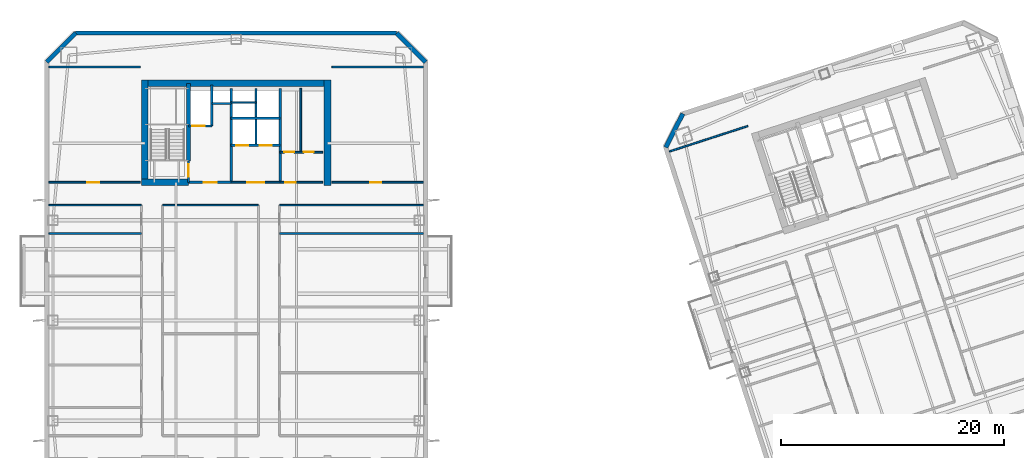
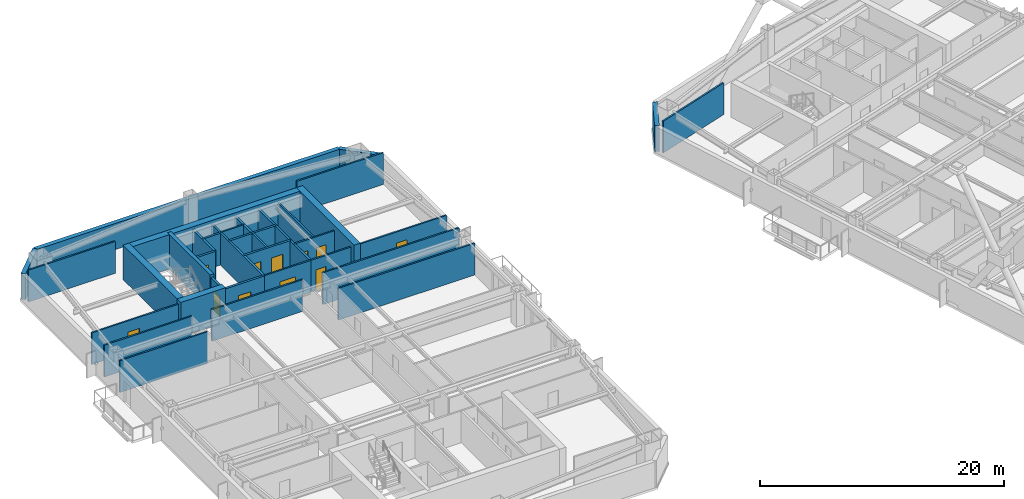
# One storey, part 8 of 18: 34 walls, 11 doors, 11 openings.
"""IFC4 building model written with IfcOpenShell, lengths in metres."""

from ifc_helpers import new_model, si_unit, direction, frame, frame_2d, origin, place, context, subcontext, project, spatial, rectangle, extrude, material, layer, layer_set, type_object, element, fill, save


model = new_model("IFC4")

# Units and contexts
model_context = context("Model", 3, precision=1e-05, world=origin(), true_north=direction((0.0, 1.0)))
body_context = subcontext(model_context, "Body", "Model", "MODEL_VIEW")
ifc_project = project(units=[si_unit("LENGTHUNIT", "METRE"), si_unit("AREAUNIT", "SQUARE_METRE"), si_unit("VOLUMEUNIT", "CUBIC_METRE"), si_unit("PLANEANGLEUNIT", "RADIAN"), si_unit("MASSUNIT", "GRAM", prefix="KILO")], contexts=[model_context])

# Site, building, storey
site_placement = place(None, origin())
site = spatial("IfcSite", under=ifc_project, at=site_placement, CompositionType="ELEMENT")
building_placement = place(site_placement, origin())
building = spatial("IfcBuilding", under=site, at=building_placement, Name="Qiaolan Cultural Towers", CompositionType="ELEMENT")
storey_placement = place(building_placement, frame((0.0, 0.0, 163.300048828125)))
storey = spatial("IfcBuildingStorey", under=building, at=storey_placement, Name="L43", CompositionType="ELEMENT", Elevation=163.300048828125)

# Walls
ifc_material_1 = material(Name="Concrete C50", Category="concrete")
ifc_layer_1 = layer(ifc_material_1, 0.35009765625)
ifc_layer_set_1 = layer_set([ifc_layer_1], Name="Concrete C50")
wall_type_1 = type_object("IfcWallType", Name="WL-CORE-350", PredefinedType="SHEAR", material=ifc_layer_set_1)
wall_1_placement = place(storey_placement, frame((25.719970703125, 48.300048828125, 0.0), z_axis=(0.0, 0.0, 1.0), x_axis=(0.0, 1.0, 0.0)))
element("IfcWall", 1, at=wall_1_placement, inside=storey, type_object=wall_type_1, Name="L43 T1-CN Stair Core Dividing Web", PredefinedType="SHEAR", context=body_context, shape_type="SweptSolid", body=[
    extrude(rectangle(XDim=6.97998046875, YDim=0.35009765625, at=frame_2d((3.489990234375, 0.0))), origin(), (0.0, 0.0, 1.0), 3.449951171875),
])
ifc_material_2 = material(Name="Concrete C55", Category="concrete")
ifc_layer_2 = layer(ifc_material_2, 0.60009765625)
ifc_layer_set_2 = layer_set([ifc_layer_2], Name="Concrete C55")
wall_type_2 = type_object("IfcWallType", Name="WL-CORE-600", PredefinedType="SHEAR", material=ifc_layer_set_2)
wall_2_placement = place(storey_placement, frame((21.5, 55.280029296875, 0.0), z_axis=(0.0, 0.0, 1.0), x_axis=(1.0, 0.0, 0.0)))
element("IfcWall", 2, at=wall_2_placement, inside=storey, type_object=wall_type_2, Name="L43 T1-CN Outer Core Shear Wall", PredefinedType="SHEAR", context=body_context, shape_type="SweptSolid", body=[
    extrude(rectangle(XDim=17.0, YDim=0.60009765625, at=frame_2d((8.5, 0.0))), origin(), (0.0, 0.0, 1.0), 3.449951171875),
])
for number, where, z_axis, x_axis, name in (
    (3, (21.800048828125, 46.10009765625, 0.0), (0.0, 0.0, 1.0), (0.0, 1.0, 0.0), "L43 T1-CN West Core Shear Wall"),
    (4, (38.199951171875, 46.10009765625, 0.0), (0.0, 0.0, 1.0), (0.0, 1.0, 0.0), "L43 T1-CN East Core Shear Wall"),
):
    element("IfcWall", number, at=place(storey_placement, frame(where, z_axis=z_axis, x_axis=x_axis)), inside=storey, type_object=wall_type_2, Name=name, PredefinedType="SHEAR", context=body_context, shape_type="SweptSolid", body=[
        extrude(rectangle(XDim=9.47998046875, YDim=0.60009765625, at=frame_2d((4.739990234375, 0.0))), origin(), (0.0, 0.0, 1.0), 3.449951171875),
    ])
wall_3_placement = place(storey_placement, frame((21.5, 46.39990234375, 0.0), z_axis=(0.0, 0.0, 1.0), x_axis=(1.0, 0.0, 0.0)))
element("IfcWall", 5, at=wall_3_placement, inside=storey, type_object=wall_type_2, Name="L43 T1-CN Stair Front Shear Wall", PredefinedType="SHEAR", context=body_context, shape_type="SweptSolid", body=[
    extrude(rectangle(XDim=4.219970703125, YDim=0.60009765625, at=frame_2d((2.10986328125, 0.0))), origin(), (0.0, 0.0, 1.0), 3.449951171875),
])
ifc_material_3 = material(Name="Precast Concrete C50 Honed Stone Pier", Category="masonry")
ifc_layer_3 = layer(ifc_material_3, 0.39990234375)
ifc_layer_set_3 = layer_set([ifc_layer_3], Name="Precast Concrete C50 Honed Stone Pier")
wall_type_3 = type_object("IfcWallType", Name="WL-EXT-PIER-400", PredefinedType="SOLIDWALL", material=ifc_layer_set_3)
wall_4_placement = place(storey_placement, frame((13.0, 57.199951171875, 0.0), z_axis=(0.0, 0.0, 1.0), x_axis=(0.707106781187, 0.707106781187, 0.0)))
element("IfcWall", 6, at=wall_4_placement, inside=storey, type_object=wall_type_3, Name="L43 West Tower Precast Pier Facade Wall F2", PredefinedType="SOLIDWALL", context=body_context, shape_type="SweptSolid", body=[
    extrude(rectangle(XDim=3.677001953125, YDim=0.39990234375, at=frame_2d((1.83837890625, 0.0))), origin(), (0.0, 0.0, 1.0), 2.60986328125),
])
wall_5_placement = place(storey_placement, frame((15.60009765625, 59.800048828125, 0.0), z_axis=(0.0, 0.0, 1.0), x_axis=(1.0, 0.0, 0.0)))
element("IfcWall", 7, at=wall_5_placement, inside=storey, type_object=wall_type_3, Name="L43 West Tower Precast Pier Facade Wall F3", PredefinedType="SOLIDWALL", context=body_context, shape_type="SweptSolid", body=[
    extrude(rectangle(XDim=28.7998046875, YDim=0.39990234375, at=frame_2d((14.39990234375, 0.0))), origin(), (0.0, 0.0, 1.0), 2.60986328125),
])
wall_6_placement = place(storey_placement, frame((44.39990234375, 59.800048828125, 0.0), z_axis=(0.0, 0.0, 1.0), x_axis=(0.707106781187, -0.707106781187, 0.0)))
element("IfcWall", 8, at=wall_6_placement, inside=storey, type_object=wall_type_3, Name="L43 West Tower Precast Pier Facade Wall F4", PredefinedType="SOLIDWALL", context=body_context, shape_type="SweptSolid", body=[
    extrude(rectangle(XDim=3.677001953125, YDim=0.39990234375, at=frame_2d((1.83837890625, 0.0))), origin(), (0.0, 0.0, 1.0), 2.60986328125),
])
wall_7_placement = place(storey_placement, frame((68.550537109375, 49.531982421875, 0.0), z_axis=(0.0, 0.0, 1.0), x_axis=(0.454019523198, 0.890991735402, 0.0)))
element("IfcWall", 9, at=wall_7_placement, inside=storey, type_object=wall_type_3, Name="L43 East Tower Precast Pier Facade Wall F2", PredefinedType="SOLIDWALL", context=body_context, shape_type="SweptSolid", body=[
    extrude(rectangle(XDim=3.39404296875, YDim=0.39990234375, at=frame_2d((1.697021484375, 0.0))), origin(), (0.0, 0.0, 1.0), 2.60986328125),
])

# Wall, opening, door
ifc_material_4 = material(Name="Concrete C35 Fire Wall", Category="concrete")
ifc_layer_4 = layer(ifc_material_4, 0.199951171875)
ifc_layer_set_4 = layer_set([ifc_layer_4], Name="Concrete C35 Fire Wall")
wall_type_4 = type_object("IfcWallType", Name="WL-FIRE-200", PredefinedType="PARTITIONING", material=ifc_layer_set_4)
wall_8_placement = place(storey_placement, frame((25.719970703125, 46.39990234375, 0.0), z_axis=(0.0, 0.0, 1.0), x_axis=(0.0, 1.0, 0.0)))
wall_8 = element("IfcWall", 10, at=wall_8_placement, inside=storey, type_object=wall_type_4, Name="L43 T1-CN Smokeproof Stair Entry Wall", PredefinedType="PARTITIONING", context=body_context, shape_type="SweptSolid", body=[
    extrude(rectangle(XDim=1.900146484375, YDim=0.199951171875, at=frame_2d((0.9501953125, 0.0))), origin(), (0.0, 0.0, 1.0), 3.175048828125),
])
opening_1_placement = place(wall_8_placement, frame((0.52001953125, 0.0, 0.0)))
opening_1 = element("IfcOpeningElement", 11, at=opening_1_placement, cuts=wall_8, Name="Opening FD-04", PredefinedType="OPENING", context=body_context, shape_type="SweptSolid", body=[
    extrude(rectangle(XDim=1.10009765625, YDim=2.050048828125, at=frame_2d((0.550048828125, 1.02490234375))), frame((0.0, 0.10986328125, 0.0), z_axis=(0.0, -1.0, 0.0), x_axis=(1.0, 0.0, 0.0)), (0.0, 0.0, 1.0), 0.219970703125),
])
ifc_material_5 = material(Name="Galvanized Steel Command Fire Door", Category="steel")
door_type_1 = type_object("IfcDoorType", Name="DR-FD90-1100", OperationType="NOTDEFINED", PredefinedType="DOOR", material=ifc_material_5)
door_1_placement = place(opening_1_placement, origin())
door_1 = element("IfcDoor", 12, at=door_1_placement, inside=storey, type_object=door_type_1, Name="L43 ST-W2 Smokeproof Stair Fire Door", OperationType="SINGLE_SWING_LEFT", OverallHeight=2.050048828125, OverallWidth=1.10009765625, PredefinedType="DOOR", context=body_context, shape_type="SweptSolid", body=[
    extrude(rectangle(XDim=1.10009765625, YDim=2.050048828125, at=frame_2d((0.550048828125, 1.02490234375))), frame((0.0, 0.02490234375, 0.0), z_axis=(0.0, -1.0, 0.0), x_axis=(1.0, 0.0, 0.0)), (0.0, 0.0, 1.0), 0.050048828125),
])
fill(opening_1, door_1)

# Wall
wall_9_placement = place(storey_placement, frame((29.550048828125, 46.39990234375, 0.0), z_axis=(0.0, 0.0, 1.0), x_axis=(0.0, 1.0, 0.0)))
element("IfcWall", 13, at=wall_9_placement, inside=storey, type_object=wall_type_4, Name="L43 T1-CN Firefighting Zone Wall", PredefinedType="PARTITIONING", context=body_context, shape_type="SweptSolid", body=[
    extrude(rectangle(XDim=8.43017578125, YDim=0.199951171875, at=frame_2d((4.215087890625, 0.0))), origin(), (0.0, 0.0, 1.0), 3.175048828125),
])

# Wall, opening, door
wall_10_placement = place(storey_placement, frame((25.719970703125, 46.39990234375, 0.0), z_axis=(0.0, 0.0, 1.0), x_axis=(1.0, 0.0, 0.0)))
wall_10 = element("IfcWall", 14, at=wall_10_placement, inside=storey, type_object=wall_type_4, Name="L43 T1-CN Firefighting Lobby Front Wall", PredefinedType="PARTITIONING", context=body_context, shape_type="SweptSolid", body=[
    extrude(rectangle(XDim=3.830078125, YDim=0.199951171875, at=frame_2d((1.9150390625, 0.0))), origin(), (0.0, 0.0, 1.0), 3.175048828125),
])
opening_2_placement = place(wall_10_placement, frame((1.35009765625, 0.0, 0.0)))
opening_2 = element("IfcOpeningElement", 15, at=opening_2_placement, cuts=wall_10, Name="Opening FD-03", PredefinedType="OPENING", context=body_context, shape_type="SweptSolid", body=[
    extrude(rectangle(XDim=1.199951171875, YDim=2.050048828125, at=frame_2d((0.60009765625, 1.02490234375))), frame((0.0, 0.10986328125, 0.0), z_axis=(0.0, -1.0, 0.0), x_axis=(1.0, 0.0, 0.0)), (0.0, 0.0, 1.0), 0.219970703125),
])
ifc_material_6 = material(Name="Galvanized Steel Smokeproof Lobby Fire Door", Category="steel")
door_type_2 = type_object("IfcDoorType", Name="DR-FD90-1200", OperationType="NOTDEFINED", PredefinedType="DOOR", material=ifc_material_6)
door_2_placement = place(opening_2_placement, origin())
door_2 = element("IfcDoor", 16, at=door_2_placement, inside=storey, type_object=door_type_2, Name="L43 FFL-W2 Firefighting Lobby Fire Door", OperationType="SINGLE_SWING_LEFT", OverallHeight=2.050048828125, OverallWidth=1.199951171875, PredefinedType="DOOR", context=body_context, shape_type="SweptSolid", body=[
    extrude(rectangle(XDim=1.199951171875, YDim=2.050048828125, at=frame_2d((0.60009765625, 1.02490234375))), frame((0.0, 0.02490234375, 0.0), z_axis=(0.0, -1.0, 0.0), x_axis=(1.0, 0.0, 0.0)), (0.0, 0.0, 1.0), 0.050048828125),
])
fill(opening_2, door_2)

wall_11_placement = place(storey_placement, frame((25.719970703125, 51.449951171875, 0.0), z_axis=(0.0, 0.0, 1.0), x_axis=(1.0, 0.0, 0.0)))
wall_11 = element("IfcWall", 17, at=wall_11_placement, inside=storey, type_object=wall_type_4, Name="L43 T1-CN Firefighting Shaft Front Wall", PredefinedType="PARTITIONING", context=body_context, shape_type="SweptSolid", body=[
    extrude(rectangle(XDim=2.10009765625, YDim=0.199951171875, at=frame_2d((1.050048828125, 0.0))), origin(), (0.0, 0.0, 1.0), 3.175048828125),
])
opening_3_placement = place(wall_11_placement, frame((0.35009765625, 0.0, 0.0)))
opening_3 = element("IfcOpeningElement", 18, at=opening_3_placement, cuts=wall_11, Name="Opening LD-01", PredefinedType="OPENING", context=body_context, shape_type="SweptSolid", body=[
    extrude(rectangle(XDim=1.10009765625, YDim=2.050048828125, at=frame_2d((0.550048828125, 1.02490234375))), frame((0.0, 0.10986328125, 0.0), z_axis=(0.0, -1.0, 0.0), x_axis=(1.0, 0.0, 0.0)), (0.0, 0.0, 1.0), 0.219970703125),
])
ifc_material_7 = material(Name="Brushed Stainless Steel S30408 Centre-Parting Lift Landing Door", Category="steel")
door_type_3 = type_object("IfcDoorType", Name="DR-LIFT-1100", OperationType="NOTDEFINED", PredefinedType="DOOR", material=ifc_material_7)
door_3_placement = place(opening_3_placement, origin())
door_3 = element("IfcDoor", 19, at=door_3_placement, inside=storey, type_object=door_type_3, Name="L43 FFL-W2 Firefighting Lift Landing Door", OperationType="DOUBLE_DOOR_SLIDING", OverallHeight=2.050048828125, OverallWidth=1.10009765625, PredefinedType="DOOR", context=body_context, shape_type="SweptSolid", body=[
    extrude(rectangle(XDim=1.10009765625, YDim=2.050048828125, at=frame_2d((0.550048828125, 1.02490234375))), frame((0.0, 0.02490234375, 0.0), z_axis=(0.0, -1.0, 0.0), x_axis=(1.0, 0.0, 0.0)), (0.0, 0.0, 1.0), 0.050048828125),
])
fill(opening_3, door_3)

# Walls
wall_12_placement = place(storey_placement, frame((27.820068359375, 51.449951171875, 0.0), z_axis=(0.0, 0.0, 1.0), x_axis=(0.0, 1.0, 0.0)))
element("IfcWall", 20, at=wall_12_placement, inside=storey, type_object=wall_type_4, Name="L43 T1-CN Firefighting Hoistway East Wall", PredefinedType="PARTITIONING", context=body_context, shape_type="SweptSolid", body=[
    extrude(rectangle(XDim=3.699951171875, YDim=0.199951171875, at=frame_2d((1.85009765625, 0.0))), origin(), (0.0, 0.0, 1.0), 3.175048828125),
])
wall_13_placement = place(storey_placement, frame((27.820068359375, 53.47998046875, 0.0), z_axis=(0.0, 0.0, 1.0), x_axis=(1.0, 0.0, 0.0)))
element("IfcWall", 21, at=wall_13_placement, inside=storey, type_object=wall_type_4, Name="L43 T1-CN Pressurization Shaft Front Wall", PredefinedType="PARTITIONING", context=body_context, shape_type="SweptSolid", body=[
    extrude(rectangle(XDim=1.72998046875, YDim=0.199951171875, at=frame_2d((0.864990234375, 0.0))), origin(), (0.0, 0.0, 1.0), 3.175048828125),
])
wall_14_placement = place(storey_placement, frame((33.949951171875, 46.39990234375, 0.0), z_axis=(0.0, 0.0, 1.0), x_axis=(0.0, 1.0, 0.0)))
element("IfcWall", 22, at=wall_14_placement, inside=storey, type_object=wall_type_4, Name="L43 T1-CN Lift Core East Wall", PredefinedType="PARTITIONING", context=body_context, shape_type="SweptSolid", body=[
    extrude(rectangle(XDim=8.43017578125, YDim=0.199951171875, at=frame_2d((4.215087890625, 0.0))), origin(), (0.0, 0.0, 1.0), 3.175048828125),
])

# Wall, openings, doors
wall_15_placement = place(storey_placement, frame((29.550048828125, 49.719970703125, 0.0), z_axis=(0.0, 0.0, 1.0), x_axis=(1.0, 0.0, 0.0)))
wall_15 = element("IfcWall", 23, at=wall_15_placement, inside=storey, type_object=wall_type_4, Name="L43 T1-CN Passenger Lift Shaft Front Wall", PredefinedType="PARTITIONING", context=body_context, shape_type="SweptSolid", body=[
    extrude(rectangle(XDim=4.39990234375, YDim=0.199951171875, at=frame_2d((2.199951171875, 0.0))), origin(), (0.0, 0.0, 1.0), 3.175048828125),
])
opening_4_placement = place(wall_15_placement, frame((0.449951171875, 0.0, 0.0)))
opening_4 = element("IfcOpeningElement", 24, at=opening_4_placement, cuts=wall_15, Name="Opening LD-01", PredefinedType="OPENING", context=body_context, shape_type="SweptSolid", body=[
    extrude(rectangle(XDim=1.10009765625, YDim=2.050048828125, at=frame_2d((0.550048828125, 1.02490234375))), frame((0.0, 0.10986328125, 0.0), z_axis=(0.0, -1.0, 0.0), x_axis=(1.0, 0.0, 0.0)), (0.0, 0.0, 1.0), 0.219970703125),
])
opening_5_placement = place(wall_15_placement, frame((2.550048828125, 0.0, 0.0)))
opening_5 = element("IfcOpeningElement", 25, at=opening_5_placement, cuts=wall_15, Name="Opening LD-01", PredefinedType="OPENING", context=body_context, shape_type="SweptSolid", body=[
    extrude(rectangle(XDim=1.10009765625, YDim=2.050048828125, at=frame_2d((0.550048828125, 1.02490234375))), frame((0.0, 0.10986328125, 0.0), z_axis=(0.0, -1.0, 0.0), x_axis=(1.0, 0.0, 0.0)), (0.0, 0.0, 1.0), 0.219970703125),
])
door_4_placement = place(opening_4_placement, origin())
door_4 = element("IfcDoor", 26, at=door_4_placement, inside=storey, type_object=door_type_3, Name="L43 Passenger Lift 1 Landing Door", OperationType="DOUBLE_DOOR_SLIDING", OverallHeight=2.050048828125, OverallWidth=1.10009765625, PredefinedType="DOOR", context=body_context, shape_type="SweptSolid", body=[
    extrude(rectangle(XDim=1.10009765625, YDim=2.050048828125, at=frame_2d((0.550048828125, 1.02490234375))), frame((0.0, 0.02490234375, 0.0), z_axis=(0.0, -1.0, 0.0), x_axis=(1.0, 0.0, 0.0)), (0.0, 0.0, 1.0), 0.050048828125),
])
fill(opening_4, door_4)
door_5_placement = place(opening_5_placement, origin())
door_5 = element("IfcDoor", 27, at=door_5_placement, inside=storey, type_object=door_type_3, Name="L43 Passenger Lift 2 Landing Door", OperationType="DOUBLE_DOOR_SLIDING", OverallHeight=2.050048828125, OverallWidth=1.10009765625, PredefinedType="DOOR", context=body_context, shape_type="SweptSolid", body=[
    extrude(rectangle(XDim=1.10009765625, YDim=2.050048828125, at=frame_2d((0.550048828125, 1.02490234375))), frame((0.0, 0.02490234375, 0.0), z_axis=(0.0, -1.0, 0.0), x_axis=(1.0, 0.0, 0.0)), (0.0, 0.0, 1.0), 0.050048828125),
])
fill(opening_5, door_5)

# Walls
wall_16_placement = place(storey_placement, frame((31.780029296875, 49.719970703125, 0.0), z_axis=(0.0, 0.0, 1.0), x_axis=(0.0, 1.0, 0.0)))
element("IfcWall", 28, at=wall_16_placement, inside=storey, type_object=wall_type_4, Name="L43 T1-CN Lift Shaft Divider Wall", PredefinedType="PARTITIONING", context=body_context, shape_type="SweptSolid", body=[
    extrude(rectangle(XDim=5.110107421875, YDim=0.199951171875, at=frame_2d((2.55517578125, 0.0))), origin(), (0.0, 0.0, 1.0), 3.175048828125),
])
wall_17_placement = place(storey_placement, frame((29.550048828125, 52.14990234375, 0.0), z_axis=(0.0, 0.0, 1.0), x_axis=(1.0, 0.0, 0.0)))
element("IfcWall", 29, at=wall_17_placement, inside=storey, type_object=wall_type_4, Name="L43 T1-CN Passenger Lift Shaft Back Wall", PredefinedType="PARTITIONING", context=body_context, shape_type="SweptSolid", body=[
    extrude(rectangle(XDim=4.39990234375, YDim=0.199951171875, at=frame_2d((2.199951171875, 0.0))), origin(), (0.0, 0.0, 1.0), 3.175048828125),
])

# Wall, opening, door
ifc_material_8 = material(Name="Autoclaved Aerated Concrete Block B06", Category="concrete")
ifc_layer_5 = layer(ifc_material_8, 0.14990234375)
ifc_layer_set_5 = layer_set([ifc_layer_5], Name="Autoclaved Aerated Concrete Block B06")
wall_type_5 = type_object("IfcWallType", Name="WL-PART-150", PredefinedType="PARTITIONING", material=ifc_layer_set_5)
wall_18_placement = place(storey_placement, frame((29.550048828125, 46.39990234375, 0.0), z_axis=(0.0, 0.0, 1.0), x_axis=(1.0, 0.0, 0.0)))
wall_18 = element("IfcWall", 30, at=wall_18_placement, inside=storey, type_object=wall_type_5, Name="L43 T1-CN Passenger Lift Lobby Front Wall", PredefinedType="PARTITIONING", context=body_context, shape_type="SweptSolid", body=[
    extrude(rectangle(XDim=4.39990234375, YDim=0.14990234375, at=frame_2d((2.199951171875, 0.0))), origin(), (0.0, 0.0, 1.0), 3.175048828125),
])
opening_6_placement = place(wall_18_placement, frame((1.449951171875, 0.0, 0.0)))
opening_6 = element("IfcOpeningElement", 31, at=opening_6_placement, cuts=wall_18, Name="Opening FD-05", PredefinedType="OPENING", context=body_context, shape_type="SweptSolid", body=[
    extrude(rectangle(XDim=1.5, YDim=2.050048828125, at=frame_2d((0.75, 1.02490234375))), frame((0.0, 0.0849609375, 0.0), z_axis=(0.0, -1.0, 0.0), x_axis=(1.0, 0.0, 0.0)), (0.0, 0.0, 1.0), 0.169921875),
])
ifc_material_9 = material(Name="Painted Steel Lift Lobby Fire Door", Category="steel")
door_type_4 = type_object("IfcDoorType", Name="DR-FD60-1500", OperationType="NOTDEFINED", PredefinedType="DOOR", material=ifc_material_9)
door_6_placement = place(opening_6_placement, origin())
door_6 = element("IfcDoor", 32, at=door_6_placement, inside=storey, type_object=door_type_4, Name="L43 Passenger Lift Lobby Entrance", OperationType="SINGLE_SWING_LEFT", OverallHeight=2.050048828125, OverallWidth=1.5, PredefinedType="DOOR", context=body_context, shape_type="SweptSolid", body=[
    extrude(rectangle(XDim=1.5, YDim=2.050048828125, at=frame_2d((0.75, 1.02490234375))), frame((0.0, 0.02490234375, 0.0), z_axis=(0.0, -1.0, 0.0), x_axis=(1.0, 0.0, 0.0)), (0.0, 0.0, 1.0), 0.050048828125),
])
fill(opening_6, door_6)

# Wall
wall_19_placement = place(storey_placement, frame((29.550048828125, 53.550048828125, 0.0), z_axis=(0.0, 0.0, 1.0), x_axis=(1.0, 0.0, 0.0)))
element("IfcWall", 33, at=wall_19_placement, inside=storey, type_object=wall_type_5, Name="L43 T1-CN Core Rear Riser Split", PredefinedType="PARTITIONING", context=body_context, shape_type="SweptSolid", body=[
    extrude(rectangle(XDim=2.22998046875, YDim=0.14990234375, at=frame_2d((1.114990234375, 0.0))), origin(), (0.0, 0.0, 1.0), 3.175048828125),
])

# Wall, opening, door
wall_20_placement = place(storey_placement, frame((33.949951171875, 46.39990234375, 0.0), z_axis=(0.0, 0.0, 1.0), x_axis=(1.0, 0.0, 0.0)))
wall_20 = element("IfcWall", 34, at=wall_20_placement, inside=storey, type_object=wall_type_5, Name="L43 T1-CN Sanitary Core Front Wall", PredefinedType="PARTITIONING", context=body_context, shape_type="SweptSolid", body=[
    extrude(rectangle(XDim=3.800048828125, YDim=0.14990234375, at=frame_2d((1.89990234375, 0.0))), origin(), (0.0, 0.0, 1.0), 3.175048828125),
])
opening_7_placement = place(wall_20_placement, frame((0.449951171875, 0.0, 0.0)))
opening_7 = element("IfcOpeningElement", 35, at=opening_7_placement, cuts=wall_20, Name="Opening ID-05", PredefinedType="OPENING", context=body_context, shape_type="SweptSolid", body=[
    extrude(rectangle(XDim=0.949951171875, YDim=2.050048828125, at=frame_2d((0.47509765625, 1.02490234375))), frame((0.0, 0.0849609375, 0.0), z_axis=(0.0, -1.0, 0.0), x_axis=(1.0, 0.0, 0.0)), (0.0, 0.0, 1.0), 0.169921875),
])
ifc_material_10 = material(Name="Fire-Rated Laminate Accessible Core Door", Category="timber")
door_type_5 = type_object("IfcDoorType", Name="DR-INT-950", OperationType="NOTDEFINED", PredefinedType="DOOR", material=ifc_material_10)
door_7_placement = place(opening_7_placement, origin())
door_7 = element("IfcDoor", 36, at=door_7_placement, inside=storey, type_object=door_type_5, Name="L43 Sanitary Vestibule Door", OperationType="SINGLE_SWING_LEFT", OverallHeight=2.050048828125, OverallWidth=0.949951171875, PredefinedType="DOOR", context=body_context, shape_type="SweptSolid", body=[
    extrude(rectangle(XDim=0.949951171875, YDim=2.050048828125, at=frame_2d((0.47509765625, 1.02490234375))), frame((0.0, 0.02490234375, 0.0), z_axis=(0.0, -1.0, 0.0), x_axis=(1.0, 0.0, 0.0)), (0.0, 0.0, 1.0), 0.050048828125),
])
fill(opening_7, door_7)

# Wall, openings, doors
wall_21_placement = place(storey_placement, frame((33.949951171875, 49.10009765625, 0.0), z_axis=(0.0, 0.0, 1.0), x_axis=(1.0, 0.0, 0.0)))
wall_21 = element("IfcWall", 37, at=wall_21_placement, inside=storey, type_object=wall_type_5, Name="L43 T1-CN Restroom Vestibule Wall", PredefinedType="PARTITIONING", context=body_context, shape_type="SweptSolid", body=[
    extrude(rectangle(XDim=3.800048828125, YDim=0.14990234375, at=frame_2d((1.89990234375, 0.0))), origin(), (0.0, 0.0, 1.0), 3.175048828125),
])
opening_8_placement = place(wall_21_placement, frame((0.35009765625, 0.0, 0.0)))
opening_8 = element("IfcOpeningElement", 38, at=opening_8_placement, cuts=wall_21, Name="Opening ID-06", PredefinedType="OPENING", context=body_context, shape_type="SweptSolid", body=[
    extrude(rectangle(XDim=0.89990234375, YDim=2.050048828125, at=frame_2d((0.449951171875, 1.02490234375))), frame((0.0, 0.0849609375, 0.0), z_axis=(0.0, -1.0, 0.0), x_axis=(1.0, 0.0, 0.0)), (0.0, 0.0, 1.0), 0.169921875),
])
opening_9_placement = place(wall_21_placement, frame((2.10009765625, 0.0, 0.0)))
opening_9 = element("IfcOpeningElement", 39, at=opening_9_placement, cuts=wall_21, Name="Opening ID-06", PredefinedType="OPENING", context=body_context, shape_type="SweptSolid", body=[
    extrude(rectangle(XDim=0.89990234375, YDim=2.050048828125, at=frame_2d((0.449951171875, 1.02490234375))), frame((0.0, 0.0849609375, 0.0), z_axis=(0.0, -1.0, 0.0), x_axis=(1.0, 0.0, 0.0)), (0.0, 0.0, 1.0), 0.169921875),
])
ifc_material_11 = material(Name="Fire-Rated Laminate Core Service Door", Category="timber")
door_type_6 = type_object("IfcDoorType", Name="DR-INT-900", OperationType="NOTDEFINED", PredefinedType="DOOR", material=ifc_material_11)
door_8_placement = place(opening_8_placement, origin())
door_8 = element("IfcDoor", 40, at=door_8_placement, inside=storey, type_object=door_type_6, Name="L43 Men Restroom Door", OperationType="SINGLE_SWING_LEFT", OverallHeight=2.050048828125, OverallWidth=0.89990234375, PredefinedType="DOOR", context=body_context, shape_type="SweptSolid", body=[
    extrude(rectangle(XDim=0.89990234375, YDim=2.050048828125, at=frame_2d((0.449951171875, 1.02490234375))), frame((0.0, 0.02490234375, 0.0), z_axis=(0.0, -1.0, 0.0), x_axis=(1.0, 0.0, 0.0)), (0.0, 0.0, 1.0), 0.050048828125),
])
fill(opening_8, door_8)
door_9_placement = place(opening_9_placement, origin())
door_9 = element("IfcDoor", 41, at=door_9_placement, inside=storey, type_object=door_type_6, Name="L43 Accessible & Women Restroom Door", OperationType="SINGLE_SWING_RIGHT", OverallHeight=2.050048828125, OverallWidth=0.89990234375, PredefinedType="DOOR", context=body_context, shape_type="SweptSolid", body=[
    extrude(rectangle(XDim=0.89990234375, YDim=2.050048828125, at=frame_2d((0.449951171875, 1.02490234375))), frame((0.0, 0.02490234375, 0.0), z_axis=(0.0, -1.0, 0.0), x_axis=(1.0, 0.0, 0.0)), (0.0, 0.0, 1.0), 0.050048828125),
])
fill(opening_9, door_9)

# Walls
wall_22_placement = place(storey_placement, frame((35.800048828125, 49.10009765625, 0.0), z_axis=(0.0, 0.0, 1.0), x_axis=(0.0, 1.0, 0.0)))
element("IfcWall", 42, at=wall_22_placement, inside=storey, type_object=wall_type_5, Name="L43 T1-CN Restroom Divider Wall", PredefinedType="PARTITIONING", context=body_context, shape_type="SweptSolid", body=[
    extrude(rectangle(XDim=5.72998046875, YDim=0.14990234375, at=frame_2d((2.864990234375, 0.0))), origin(), (0.0, 0.0, 1.0), 3.175048828125),
])
wall_23_placement = place(storey_placement, frame((13.199951171875, 56.75, 0.0), z_axis=(0.0, 0.0, 1.0), x_axis=(1.0, 0.0, 0.0)))
element("IfcWall", 43, at=wall_23_placement, inside=storey, type_object=wall_type_5, Name="L43 T1 Flank Wall FLK-NW", PredefinedType="PARTITIONING", context=body_context, shape_type="SweptSolid", body=[
    extrude(rectangle(XDim=8.199951171875, YDim=0.14990234375, at=frame_2d((4.10009765625, 0.0))), origin(), (0.0, 0.0, 1.0), 3.175048828125),
])

# Wall, opening, door
wall_24_placement = place(storey_placement, frame((13.199951171875, 46.39990234375, 0.0), z_axis=(0.0, 0.0, 1.0), x_axis=(1.0, 0.0, 0.0)))
wall_24 = element("IfcWall", 44, at=wall_24_placement, inside=storey, type_object=wall_type_5, Name="L43 T1 Flank Front FLK-NW", PredefinedType="PARTITIONING", context=body_context, shape_type="SweptSolid", body=[
    extrude(rectangle(XDim=8.199951171875, YDim=0.14990234375, at=frame_2d((4.10009765625, 0.0))), origin(), (0.0, 0.0, 1.0), 3.175048828125),
])
opening_10_placement = place(wall_24_placement, frame((3.444091796875, 0.0, 0.0)))
opening_10 = element("IfcOpeningElement", 45, at=opening_10_placement, cuts=wall_24, Name="Opening ID-07", PredefinedType="OPENING", context=body_context, shape_type="SweptSolid", body=[
    extrude(rectangle(XDim=1.050048828125, YDim=2.050048828125, at=frame_2d((0.52490234375, 1.02490234375))), frame((0.0, 0.0849609375, 0.0), z_axis=(0.0, -1.0, 0.0), x_axis=(1.0, 0.0, 0.0)), (0.0, 0.0, 1.0), 0.169921875),
])
ifc_material_12 = material(Name="Oak Veneer Consultation Door", Category="timber")
door_type_7 = type_object("IfcDoorType", Name="DR-INT-1050", OperationType="NOTDEFINED", PredefinedType="DOOR", material=ifc_material_12)
door_10_placement = place(opening_10_placement, origin())
door_10 = element("IfcDoor", 46, at=door_10_placement, inside=storey, type_object=door_type_7, Name="L43 T1 Corner Studio Door", OperationType="SINGLE_SWING_LEFT", OverallHeight=2.050048828125, OverallWidth=1.050048828125, PredefinedType="DOOR", context=body_context, shape_type="SweptSolid", body=[
    extrude(rectangle(XDim=1.050048828125, YDim=2.050048828125, at=frame_2d((0.52490234375, 1.02490234375))), frame((0.0, 0.02490234375, 0.0), z_axis=(0.0, -1.0, 0.0), x_axis=(1.0, 0.0, 0.0)), (0.0, 0.0, 1.0), 0.050048828125),
])
fill(opening_10, door_10)

# Wall
wall_25_placement = place(storey_placement, frame((38.60009765625, 56.75, 0.0), z_axis=(0.0, 0.0, 1.0), x_axis=(1.0, 0.0, 0.0)))
element("IfcWall", 47, at=wall_25_placement, inside=storey, type_object=wall_type_5, Name="L43 T1 Flank Wall FLK-NE", PredefinedType="PARTITIONING", context=body_context, shape_type="SweptSolid", body=[
    extrude(rectangle(XDim=8.199951171875, YDim=0.14990234375, at=frame_2d((4.10009765625, 0.0))), origin(), (0.0, 0.0, 1.0), 3.175048828125),
])

# Wall, opening, door
wall_26_placement = place(storey_placement, frame((38.60009765625, 46.39990234375, 0.0), z_axis=(0.0, 0.0, 1.0), x_axis=(1.0, 0.0, 0.0)))
wall_26 = element("IfcWall", 48, at=wall_26_placement, inside=storey, type_object=wall_type_5, Name="L43 T1 Flank Front FLK-NE", PredefinedType="PARTITIONING", context=body_context, shape_type="SweptSolid", body=[
    extrude(rectangle(XDim=8.199951171875, YDim=0.14990234375, at=frame_2d((4.10009765625, 0.0))), origin(), (0.0, 0.0, 1.0), 3.175048828125),
])
opening_11_placement = place(wall_26_placement, frame((3.444091796875, 0.0, 0.0)))
opening_11 = element("IfcOpeningElement", 49, at=opening_11_placement, cuts=wall_26, Name="Opening ID-04", PredefinedType="OPENING", context=body_context, shape_type="SweptSolid", body=[
    extrude(rectangle(XDim=1.0, YDim=2.050048828125, at=frame_2d((0.5, 1.02490234375))), frame((0.0, 0.0849609375, 0.0), z_axis=(0.0, -1.0, 0.0), x_axis=(1.0, 0.0, 0.0)), (0.0, 0.0, 1.0), 0.169921875),
])
ifc_material_13 = material(Name="Oak Veneer Acoustic Office Door", Category="timber")
door_type_8 = type_object("IfcDoorType", Name="DR-INT-1000", OperationType="NOTDEFINED", PredefinedType="DOOR", material=ifc_material_13)
door_11_placement = place(opening_11_placement, origin())
door_11 = element("IfcDoor", 50, at=door_11_placement, inside=storey, type_object=door_type_8, Name="L43 T1 Corner Studio Door", OperationType="SINGLE_SWING_LEFT", OverallHeight=2.050048828125, OverallWidth=1.0, PredefinedType="DOOR", context=body_context, shape_type="SweptSolid", body=[
    extrude(rectangle(XDim=1.0, YDim=2.050048828125, at=frame_2d((0.5, 1.02490234375))), frame((0.0, 0.02490234375, 0.0), z_axis=(0.0, -1.0, 0.0), x_axis=(1.0, 0.0, 0.0)), (0.0, 0.0, 1.0), 0.050048828125),
])
fill(opening_11, door_11)

# Walls
wall_27_placement = place(storey_placement, frame((13.199951171875, 44.35009765625, 0.0), z_axis=(0.0, 0.0, 1.0), x_axis=(1.0, 0.0, 0.0)))
element("IfcWall", 51, at=wall_27_placement, inside=storey, type_object=wall_type_5, Name="L43 T1 Interior Wall", PredefinedType="PARTITIONING", context=body_context, shape_type="SweptSolid", body=[
    extrude(rectangle(XDim=8.300048828125, YDim=0.14990234375, at=frame_2d((4.14990234375, 0.0))), origin(), (0.0, 0.0, 1.0), 3.175048828125),
])
wall_28_placement = place(storey_placement, frame((23.39990234375, 44.35009765625, 0.0), z_axis=(0.0, 0.0, 1.0), x_axis=(1.0, 0.0, 0.0)))
element("IfcWall", 52, at=wall_28_placement, inside=storey, type_object=wall_type_5, Name="L43 T1 Interior Wall", PredefinedType="PARTITIONING", context=body_context, shape_type="SweptSolid", body=[
    extrude(rectangle(XDim=8.60009765625, YDim=0.14990234375, at=frame_2d((4.300048828125, 0.0))), origin(), (0.0, 0.0, 1.0), 3.175048828125),
])
wall_29_placement = place(storey_placement, frame((33.89990234375, 44.35009765625, 0.0), z_axis=(0.0, 0.0, 1.0), x_axis=(1.0, 0.0, 0.0)))
element("IfcWall", 53, at=wall_29_placement, inside=storey, type_object=wall_type_5, Name="L43 T1 Interior Wall", PredefinedType="PARTITIONING", context=body_context, shape_type="SweptSolid", body=[
    extrude(rectangle(XDim=12.900146484375, YDim=0.14990234375, at=frame_2d((6.4501953125, 0.0))), origin(), (0.0, 0.0, 1.0), 3.175048828125),
])
wall_30_placement = place(storey_placement, frame((13.199951171875, 41.800048828125, 0.0), z_axis=(0.0, 0.0, 1.0), x_axis=(1.0, 0.0, 0.0)))
element("IfcWall", 54, at=wall_30_placement, inside=storey, type_object=wall_type_5, Name="L43 T1 Interior Wall", PredefinedType="PARTITIONING", context=body_context, shape_type="SweptSolid", body=[
    extrude(rectangle(XDim=8.300048828125, YDim=0.14990234375, at=frame_2d((4.14990234375, 0.0))), origin(), (0.0, 0.0, 1.0), 3.175048828125),
])
wall_31_placement = place(storey_placement, frame((33.89990234375, 41.800048828125, 0.0), z_axis=(0.0, 0.0, 1.0), x_axis=(1.0, 0.0, 0.0)))
element("IfcWall", 55, at=wall_31_placement, inside=storey, type_object=wall_type_5, Name="L43 T1 Interior Wall", PredefinedType="PARTITIONING", context=body_context, shape_type="SweptSolid", body=[
    extrude(rectangle(XDim=12.900146484375, YDim=0.14990234375, at=frame_2d((6.4501953125, 0.0))), origin(), (0.0, 0.0, 1.0), 3.175048828125),
])
wall_32_placement = place(storey_placement, frame((68.8798828125, 49.165771484375, 0.0), z_axis=(0.0, 0.0, 1.0), x_axis=(0.951060977215, 0.309003264738, 0.0)))
element("IfcWall", 56, at=wall_32_placement, inside=storey, type_object=wall_type_5, Name="L43 T2 Flank Wall FLK-NW", PredefinedType="PARTITIONING", context=body_context, shape_type="SweptSolid", body=[
    extrude(rectangle(XDim=7.39990234375, YDim=0.14990234375, at=frame_2d((3.699951171875, 0.0))), origin(), (0.0, 0.0, 1.0), 3.175048828125),
])

save(model, "model.ifc")
